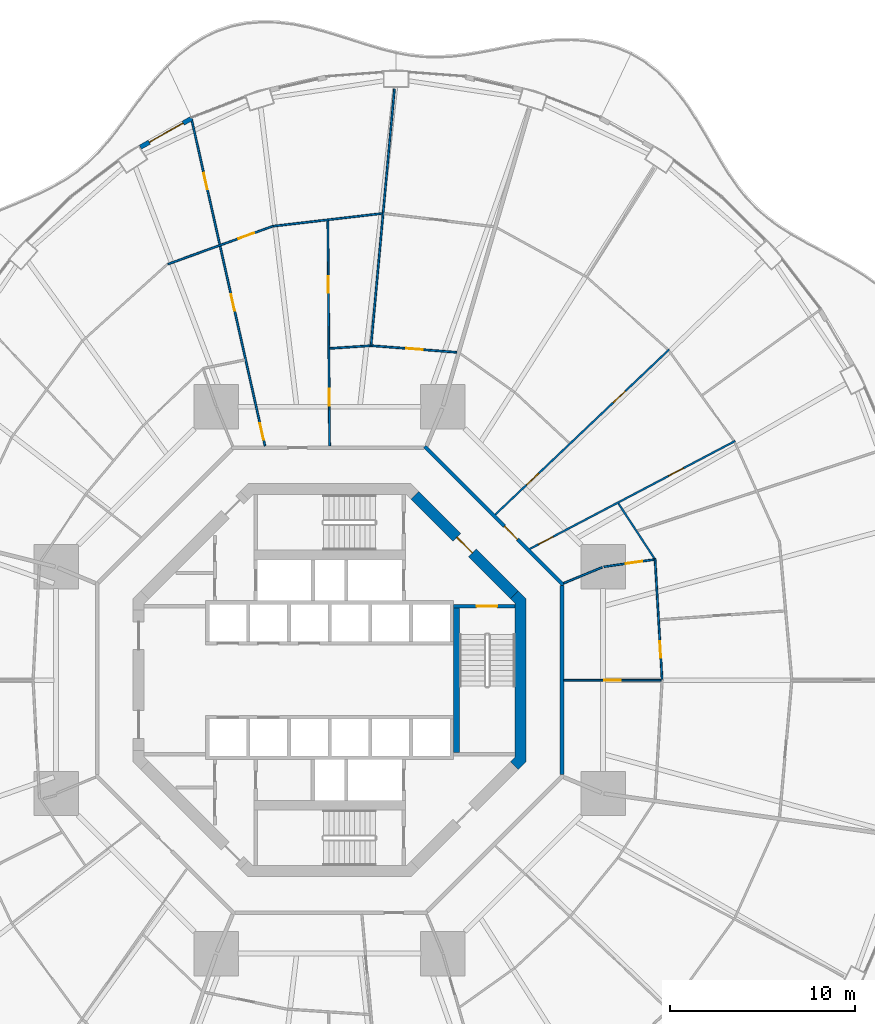
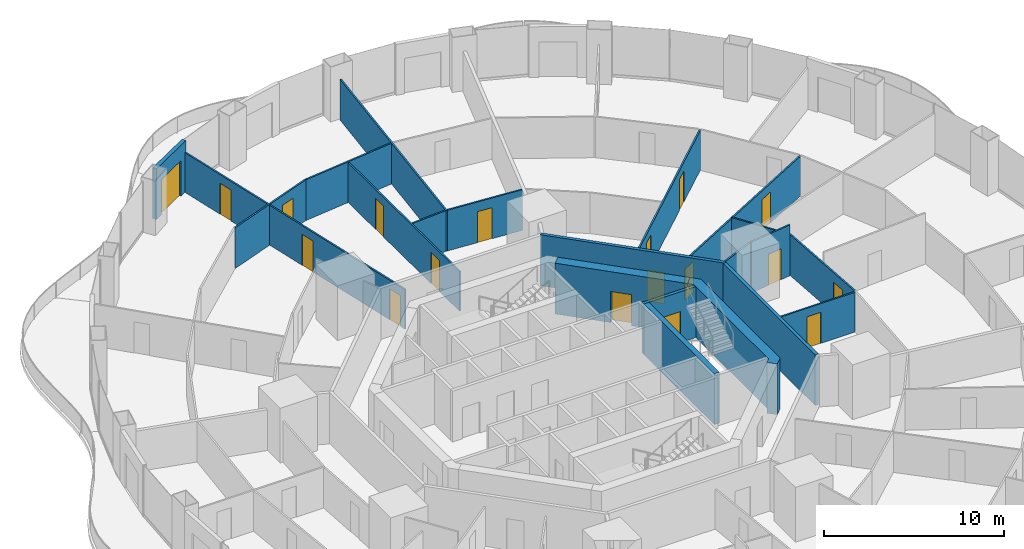
# One storey, part 18 of 22: 21 walls, 18 doors, 18 openings.
"""IFC4 building model written with IfcOpenShell, lengths in metres."""

from ifc_helpers import new_model, si_unit, direction, frame, frame_2d, origin, place, context, subcontext, project, spatial, polyline, rectangle, outline, extrude, material, layer, layer_set, type_object, element, fill, save


model = new_model("IFC4")

# Units and contexts
model_context = context("Model", 3, precision=1e-05, world=origin(), true_north=direction((0.0, 1.0)))
body_context = subcontext(model_context, "Body", "Model", "MODEL_VIEW")
ifc_project = project(units=[si_unit("LENGTHUNIT", "METRE"), si_unit("AREAUNIT", "SQUARE_METRE"), si_unit("VOLUMEUNIT", "CUBIC_METRE"), si_unit("PLANEANGLEUNIT", "RADIAN"), si_unit("MASSUNIT", "GRAM", prefix="KILO")], contexts=[model_context])

# Site, building, storey
site_placement = place(None, origin())
site = spatial("IfcSite", under=ifc_project, at=site_placement, CompositionType="ELEMENT")
building_placement = place(site_placement, origin())
building = spatial("IfcBuilding", under=site, at=building_placement, Name="Nagisa Residences", CompositionType="ELEMENT")
storey_placement = place(building_placement, frame((0.0, 0.0, 34.39990234375)))
storey = spatial("IfcBuildingStorey", under=building, at=storey_placement, Name="L07", CompositionType="ELEMENT", Elevation=34.39990234375)

# Wall
ifc_material_1 = material(Name="Gypsum board on steel studs", Category="steel")
ifc_layer_1 = layer(ifc_material_1, 0.199951171875)
ifc_layer_set_1 = layer_set([ifc_layer_1], Name="Apartment entry wall EI60 200")
wall_type_1 = type_object("IfcWallType", Name="Apartment entry wall EI60 200", PredefinedType="PARTITIONING", material=ifc_layer_set_1)
wall_1_placement = place(storey_placement, frame((12.564697265625, -5.1044921875, 0.0), z_axis=(0.0, 0.0, 1.0), x_axis=(0.0, 1.0, 0.0)))
element("IfcWall", 1, at=wall_1_placement, inside=storey, type_object=wall_type_1, Name="wall:L07:u08", PredefinedType="PARTITIONING", context=body_context, shape_type="SweptSolid", body=[
    extrude(rectangle(XDim=10.208984375, YDim=0.199951171875, at=frame_2d((5.1044921875, 0.0))), origin(), (0.0, 0.0, 1.0), 3.440185546875),
])

# Wall, opening, door
wall_2_placement = place(storey_placement, frame((12.635498046875, 5.1337890625, 0.0), z_axis=(0.0, 0.0, 1.0), x_axis=(-0.707106781187, 0.707106781187, 0.0)))
wall_2 = element("IfcWall", 2, at=wall_2_placement, inside=storey, type_object=wall_type_1, Name="wall:L07:u09", PredefinedType="PARTITIONING", context=body_context, shape_type="SweptSolid", body=[
    extrude(rectangle(XDim=10.609130859375, YDim=0.199951171875, at=frame_2d((5.3046875, 0.0))), origin(), (0.0, 0.0, 1.0), 3.440185546875),
])
opening_1_placement = place(wall_2_placement, frame((3.50341796875, 0.0, 0.0)))
opening_1 = element("IfcOpeningElement", 3, at=opening_1_placement, cuts=wall_2, Name="Opening L07-U01", PredefinedType="OPENING", context=body_context, shape_type="SweptSolid", body=[
    extrude(rectangle(XDim=1.0, YDim=2.10009765625, at=frame_2d((0.5, 1.050048828125))), frame((0.0, 0.10986328125, 0.0), z_axis=(0.0, -1.0, 0.0), x_axis=(1.0, 0.0, 0.0)), (0.0, 0.0, 1.0), 0.219970703125),
])
ifc_material_2 = material(Name="Timber fire door set", Category="wood")
door_type_1 = type_object("IfcDoorType", Name="Apartment entry door FD30S 1000x2100", OperationType="NOTDEFINED", PredefinedType="DOOR", material=ifc_material_2)
door_1_placement = place(opening_1_placement, frame((1.0, 0.0, 0.0), x_axis=(-1.0, 0.0, 0.0)))
door_1 = element("IfcDoor", 4, at=door_1_placement, inside=storey, type_object=door_type_1, Name="Entry door, Apartment 07A", OperationType="SINGLE_SWING_RIGHT", OverallHeight=2.10009765625, OverallWidth=1.0, PredefinedType="DOOR", context=body_context, shape_type="SweptSolid", body=[
    extrude(rectangle(XDim=1.0, YDim=2.10009765625, at=frame_2d((0.5, 1.050048828125))), frame((0.0, 0.02490234375, 0.0), z_axis=(0.0, -1.0, 0.0), x_axis=(1.0, 0.0, 0.0)), (0.0, 0.0, 1.0), 0.050048828125),
])
fill(opening_1, door_1)

ifc_material_3 = material(Name="Gypsum board on steel studs", Category="steel")
ifc_layer_2 = layer(ifc_material_3, 0.10009765625)
ifc_layer_set_2 = layer_set([ifc_layer_2], Name="Apartment partition 100")
wall_type_2 = type_object("IfcWallType", Name="Apartment partition 100", PredefinedType="PARTITIONING", material=ifc_layer_set_2)
wall_3_placement = place(storey_placement, frame((12.664794921875, 0.0, 0.0), z_axis=(0.0, 0.0, 1.0), x_axis=(1.0, 0.0, 0.0)))
wall_3 = element("IfcWall", 5, at=wall_3_placement, inside=storey, type_object=wall_type_2, Name="wall:L07:u16", PredefinedType="PARTITIONING", context=body_context, shape_type="SweptSolid", body=[
    extrude(rectangle(XDim=5.259521484375, YDim=0.10009765625, at=frame_2d((2.6298828125, 0.0))), origin(), (0.0, 0.0, 1.0), 2.68701171875),
])
opening_2_placement = place(wall_3_placement, frame((2.1796875, 0.0, 0.0)))
opening_2 = element("IfcOpeningElement", 6, at=opening_2_placement, cuts=wall_3, Name="Opening L07-U14", PredefinedType="OPENING", context=body_context, shape_type="SweptSolid", body=[
    extrude(rectangle(XDim=0.89990234375, YDim=2.10009765625, at=frame_2d((0.449951171875, 1.050048828125))), frame((0.0, 0.06005859375, 0.0), z_axis=(0.0, -1.0, 0.0), x_axis=(1.0, 0.0, 0.0)), (0.0, 0.0, 1.0), 0.1201171875),
])
ifc_material_4 = material(Name="Timber door set", Category="wood")
door_type_2 = type_object("IfcDoorType", Name="Apartment door 900x2100", OperationType="NOTDEFINED", PredefinedType="DOOR", material=ifc_material_4)
door_2_placement = place(opening_2_placement, frame((0.89990234375, 0.0, 0.0), x_axis=(-1.0, 0.0, 0.0)))
door_2 = element("IfcDoor", 7, at=door_2_placement, inside=storey, type_object=door_type_2, Name="Door to store, Apartment 07A", OperationType="SINGLE_SWING_LEFT", OverallHeight=2.10009765625, OverallWidth=0.89990234375, PredefinedType="DOOR", context=body_context, shape_type="SweptSolid", body=[
    extrude(rectangle(XDim=0.89990234375, YDim=2.10009765625, at=frame_2d((0.449951171875, 1.050048828125))), frame((0.0, 0.02490234375, 0.0), z_axis=(0.0, -1.0, 0.0), x_axis=(1.0, 0.0, 0.0)), (0.0, 0.0, 1.0), 0.050048828125),
])
fill(opening_2, door_2)

wall_4_placement = place(storey_placement, frame((17.971435546875, 0.0498046875, 0.0), z_axis=(0.0, 0.0, 1.0), x_axis=(-0.058476853647, 0.998288764631, 0.0)))
wall_4 = element("IfcWall", 8, at=wall_4_placement, inside=storey, type_object=wall_type_2, Name="wall:L07:u17", PredefinedType="PARTITIONING", context=body_context, shape_type="SweptSolid", body=[
    extrude(rectangle(XDim=6.5380859375, YDim=0.10009765625, at=frame_2d((3.26904296875, 0.0))), origin(), (0.0, 0.0, 1.0), 2.756103515625),
])
opening_3_placement = place(wall_4_placement, frame((1.159423828125, 0.0, 0.0)))
opening_3 = element("IfcOpeningElement", 9, at=opening_3_placement, cuts=wall_4, Name="Opening L07-U10", PredefinedType="OPENING", context=body_context, shape_type="SweptSolid", body=[
    extrude(rectangle(XDim=0.89990234375, YDim=2.10009765625, at=frame_2d((0.449951171875, 1.050048828125))), frame((0.0, 0.06005859375, 0.0), z_axis=(0.0, -1.0, 0.0), x_axis=(1.0, 0.0, 0.0)), (0.0, 0.0, 1.0), 0.1201171875),
])
door_3_placement = place(opening_3_placement, frame((0.89990234375, 0.0, 0.0), x_axis=(-1.0, 0.0, 0.0)))
door_3 = element("IfcDoor", 10, at=door_3_placement, inside=storey, type_object=door_type_2, Name="Door to dining room, Apartment 07A", OperationType="SINGLE_SWING_LEFT", OverallHeight=2.10009765625, OverallWidth=0.89990234375, PredefinedType="DOOR", context=body_context, shape_type="SweptSolid", body=[
    extrude(rectangle(XDim=0.89990234375, YDim=2.10009765625, at=frame_2d((0.449951171875, 1.050048828125))), frame((0.0, 0.02490234375, 0.0), z_axis=(0.0, -1.0, 0.0), x_axis=(1.0, 0.0, 0.0)), (0.0, 0.0, 1.0), 0.050048828125),
])
fill(opening_3, door_3)

# Wall
wall_5_placement = place(storey_placement, frame((12.6572265625, 5.24267578125, 0.0), z_axis=(0.0, 0.0, 1.0), x_axis=(0.923864733477, 0.382719158442, 0.0)))
element("IfcWall", 11, at=wall_5_placement, inside=storey, type_object=wall_type_2, Name="wall:L07:u23", PredefinedType="PARTITIONING", context=body_context, shape_type="SweptSolid", body=[
    extrude(rectangle(XDim=2.25, YDim=0.10009765625, at=frame_2d((1.125, 0.0))), origin(), (0.0, 0.0, 1.0), 3.440185546875),
])

# Wall, opening, door
wall_6_placement = place(storey_placement, frame((14.83154296875, 6.130126953125, 0.0), z_axis=(0.0, 0.0, 1.0), x_axis=(0.989840446863, 0.142182593007, 0.0)))
wall_6 = element("IfcWall", 12, at=wall_6_placement, inside=storey, type_object=wall_type_2, Name="wall:L07:u24", PredefinedType="PARTITIONING", context=body_context, shape_type="SweptSolid", body=[
    extrude(rectangle(XDim=2.73876953125, YDim=0.10009765625, at=frame_2d((1.369384765625, 0.0))), origin(), (0.0, 0.0, 1.0), 3.440185546875),
])
opening_4_placement = place(wall_6_placement, frame((1.197021484375, 0.0, 0.0)))
opening_4 = element("IfcOpeningElement", 13, at=opening_4_placement, cuts=wall_6, Name="Opening L07-U09", PredefinedType="OPENING", context=body_context, shape_type="SweptSolid", body=[
    extrude(rectangle(XDim=0.89990234375, YDim=2.10009765625, at=frame_2d((0.449951171875, 1.050048828125))), frame((0.0, 0.06005859375, 0.0), z_axis=(0.0, -1.0, 0.0), x_axis=(1.0, 0.0, 0.0)), (0.0, 0.0, 1.0), 0.1201171875),
])
door_4_placement = place(opening_4_placement, frame((0.89990234375, 0.0, 0.0), x_axis=(-1.0, 0.0, 0.0)))
door_4 = element("IfcDoor", 14, at=door_4_placement, inside=storey, type_object=door_type_2, Name="Door to laundry, Apartment 07A", OperationType="SINGLE_SWING_RIGHT", OverallHeight=2.10009765625, OverallWidth=0.89990234375, PredefinedType="DOOR", context=body_context, shape_type="SweptSolid", body=[
    extrude(rectangle(XDim=0.89990234375, YDim=2.10009765625, at=frame_2d((0.449951171875, 1.050048828125))), frame((0.0, 0.02490234375, 0.0), z_axis=(0.0, -1.0, 0.0), x_axis=(1.0, 0.0, 0.0)), (0.0, 0.0, 1.0), 0.050048828125),
])
fill(opening_4, door_4)

# Wall
wall_7_placement = place(storey_placement, frame((17.564453125, 6.568603515625, 0.0), z_axis=(0.0, 0.0, 1.0), x_axis=(-0.547641765292, 0.836712911881, 0.0)))
element("IfcWall", 15, at=wall_7_placement, inside=storey, type_object=wall_type_2, Name="wall:L07:u25", PredefinedType="PARTITIONING", context=body_context, shape_type="SweptSolid", body=[
    extrude(rectangle(XDim=3.570068359375, YDim=0.10009765625, at=frame_2d((1.78515625, 0.0))), origin(), (0.0, 0.0, 1.0), 2.756103515625),
])

# Wall, openings, doors
wall_8_placement = place(storey_placement, frame((10.813232421875, 7.091064453125, 0.0), z_axis=(0.0, 0.0, 1.0), x_axis=(0.885182649479, 0.465243674928, 0.0)))
wall_8 = element("IfcWall", 16, at=wall_8_placement, inside=storey, type_object=wall_type_2, Name="wall:L07:u28", PredefinedType="PARTITIONING", context=body_context, shape_type="SweptSolid", body=[
    extrude(rectangle(XDim=12.550537109375, YDim=0.10009765625, at=frame_2d((6.275390625, 0.0))), origin(), (0.0, 0.0, 1.0), 2.68701171875),
])
opening_5_placement = place(wall_8_placement, frame((0.539306640625, 0.0, 0.0)))
opening_5 = element("IfcOpeningElement", 17, at=opening_5_placement, cuts=wall_8, Name="Opening L07-U02", PredefinedType="OPENING", context=body_context, shape_type="SweptSolid", body=[
    extrude(rectangle(XDim=0.89990234375, YDim=2.10009765625, at=frame_2d((0.449951171875, 1.050048828125))), frame((0.0, 0.06005859375, 0.0), z_axis=(0.0, -1.0, 0.0), x_axis=(1.0, 0.0, 0.0)), (0.0, 0.0, 1.0), 0.1201171875),
])
opening_6_placement = place(wall_8_placement, frame((8.493896484375, 0.0, 0.0)))
opening_6 = element("IfcOpeningElement", 18, at=opening_6_placement, cuts=wall_8, Name="Opening L07-U04", PredefinedType="OPENING", context=body_context, shape_type="SweptSolid", body=[
    extrude(rectangle(XDim=0.89990234375, YDim=2.10009765625, at=frame_2d((0.449951171875, 1.050048828125))), frame((0.0, 0.06005859375, 0.0), z_axis=(0.0, -1.0, 0.0), x_axis=(1.0, 0.0, 0.0)), (0.0, 0.0, 1.0), 0.1201171875),
])
door_5_placement = place(opening_5_placement, frame((0.89990234375, 0.0, 0.0), x_axis=(-1.0, 0.0, 0.0)))
door_5 = element("IfcDoor", 19, at=door_5_placement, inside=storey, type_object=door_type_2, Name="Door to family bathroom, Apartment 07A", OperationType="SINGLE_SWING_LEFT", OverallHeight=2.10009765625, OverallWidth=0.89990234375, PredefinedType="DOOR", context=body_context, shape_type="SweptSolid", body=[
    extrude(rectangle(XDim=0.89990234375, YDim=2.10009765625, at=frame_2d((0.449951171875, 1.050048828125))), frame((0.0, 0.02490234375, 0.0), z_axis=(0.0, -1.0, 0.0), x_axis=(1.0, 0.0, 0.0)), (0.0, 0.0, 1.0), 0.050048828125),
])
fill(opening_5, door_5)
door_6_placement = place(opening_6_placement, frame((0.89990234375, 0.0, 0.0), x_axis=(-1.0, 0.0, 0.0)))
door_6 = element("IfcDoor", 20, at=door_6_placement, inside=storey, type_object=door_type_2, Name="Door to family bathroom, Apartment 07A", OperationType="SINGLE_SWING_LEFT", OverallHeight=2.10009765625, OverallWidth=0.89990234375, PredefinedType="DOOR", context=body_context, shape_type="SweptSolid", body=[
    extrude(rectangle(XDim=0.89990234375, YDim=2.10009765625, at=frame_2d((0.449951171875, 1.050048828125))), frame((0.0, 0.02490234375, 0.0), z_axis=(0.0, -1.0, 0.0), x_axis=(1.0, 0.0, 0.0)), (0.0, 0.0, 1.0), 0.050048828125),
])
fill(opening_6, door_6)

wall_9_placement = place(storey_placement, frame((8.95703125, 8.953369140625, 0.0), z_axis=(0.0, 0.0, 1.0), x_axis=(0.725250022034, 0.688485588476, 0.0)))
wall_9 = element("IfcWall", 21, at=wall_9_placement, inside=storey, type_object=wall_type_2, Name="wall:L07:u31", PredefinedType="PARTITIONING", context=body_context, shape_type="SweptSolid", body=[
    extrude(rectangle(XDim=12.962646484375, YDim=0.10009765625, at=frame_2d((6.4814453125, 0.0))), origin(), (0.0, 0.0, 1.0), 2.68701171875),
])
opening_7_placement = place(wall_9_placement, frame((2.33349609375, 0.0, 0.0)))
opening_7 = element("IfcOpeningElement", 22, at=opening_7_placement, cuts=wall_9, Name="Opening L07-U03", PredefinedType="OPENING", context=body_context, shape_type="SweptSolid", body=[
    extrude(rectangle(XDim=0.89990234375, YDim=2.10009765625, at=frame_2d((0.449951171875, 1.050048828125))), frame((0.0, 0.06005859375, 0.0), z_axis=(0.0, -1.0, 0.0), x_axis=(1.0, 0.0, 0.0)), (0.0, 0.0, 1.0), 0.1201171875),
])
opening_8_placement = place(wall_9_placement, frame((8.78955078125, 0.0, 0.0)))
opening_8 = element("IfcOpeningElement", 23, at=opening_8_placement, cuts=wall_9, Name="Opening L07-U05", PredefinedType="OPENING", context=body_context, shape_type="SweptSolid", body=[
    extrude(rectangle(XDim=0.89990234375, YDim=2.10009765625, at=frame_2d((0.449951171875, 1.050048828125))), frame((0.0, 0.06005859375, 0.0), z_axis=(0.0, -1.0, 0.0), x_axis=(1.0, 0.0, 0.0)), (0.0, 0.0, 1.0), 0.1201171875),
])
door_7_placement = place(opening_7_placement, origin())
door_7 = element("IfcDoor", 24, at=door_7_placement, inside=storey, type_object=door_type_2, Name="Door to store, Apartment 07A", OperationType="SINGLE_SWING_LEFT", OverallHeight=2.10009765625, OverallWidth=0.89990234375, PredefinedType="DOOR", context=body_context, shape_type="SweptSolid", body=[
    extrude(rectangle(XDim=0.89990234375, YDim=2.10009765625, at=frame_2d((0.449951171875, 1.050048828125))), frame((0.0, 0.02490234375, 0.0), z_axis=(0.0, -1.0, 0.0), x_axis=(1.0, 0.0, 0.0)), (0.0, 0.0, 1.0), 0.050048828125),
])
fill(opening_7, door_7)
door_8_placement = place(opening_8_placement, origin())
door_8 = element("IfcDoor", 25, at=door_8_placement, inside=storey, type_object=door_type_2, Name="Door to dining room, Apartment 07A", OperationType="SINGLE_SWING_LEFT", OverallHeight=2.10009765625, OverallWidth=0.89990234375, PredefinedType="DOOR", context=body_context, shape_type="SweptSolid", body=[
    extrude(rectangle(XDim=0.89990234375, YDim=2.10009765625, at=frame_2d((0.449951171875, 1.050048828125))), frame((0.0, 0.02490234375, 0.0), z_axis=(0.0, -1.0, 0.0), x_axis=(1.0, 0.0, 0.0)), (0.0, 0.0, 1.0), 0.050048828125),
])
fill(opening_8, door_8)

# Wall, opening, door
wall_10_placement = place(storey_placement, frame((6.878173828125, 17.72314453125, 0.0), z_axis=(0.0, 0.0, 1.0), x_axis=(-0.99701850123, 0.077162868047, 0.0)))
wall_10 = element("IfcWall", 26, at=wall_10_placement, inside=storey, type_object=wall_type_2, Name="wall:L07:u37", PredefinedType="PARTITIONING", context=body_context, shape_type="SweptSolid", body=[
    extrude(rectangle(XDim=4.603515625, YDim=0.10009765625, at=frame_2d((2.3017578125, 0.0))), origin(), (0.0, 0.0, 1.0), 2.756103515625),
])
opening_9_placement = place(wall_10_placement, frame((1.851806640625, 0.0, 0.0)))
opening_9 = element("IfcOpeningElement", 27, at=opening_9_placement, cuts=wall_10, Name="Opening L07-U18", PredefinedType="OPENING", context=body_context, shape_type="SweptSolid", body=[
    extrude(rectangle(XDim=0.89990234375, YDim=2.10009765625, at=frame_2d((0.449951171875, 1.050048828125))), frame((0.0, 0.06005859375, 0.0), z_axis=(0.0, -1.0, 0.0), x_axis=(1.0, 0.0, 0.0)), (0.0, 0.0, 1.0), 0.1201171875),
])
door_9_placement = place(opening_9_placement, frame((0.89990234375, 0.0, 0.0), x_axis=(-1.0, 0.0, 0.0)))
door_9 = element("IfcDoor", 28, at=door_9_placement, inside=storey, type_object=door_type_2, Name="Door to kitchen, Apartment 07B", OperationType="SINGLE_SWING_LEFT", OverallHeight=2.10009765625, OverallWidth=0.89990234375, PredefinedType="DOOR", context=body_context, shape_type="SweptSolid", body=[
    extrude(rectangle(XDim=0.89990234375, YDim=2.10009765625, at=frame_2d((0.449951171875, 1.050048828125))), frame((0.0, 0.02490234375, 0.0), z_axis=(0.0, -1.0, 0.0), x_axis=(1.0, 0.0, 0.0)), (0.0, 0.0, 1.0), 0.050048828125),
])
fill(opening_9, door_9)

# Walls
wall_11_placement = place(storey_placement, frame((2.23388671875, 18.032470703125, 0.0), z_axis=(0.0, 0.0, 1.0), x_axis=(0.090891502968, 0.995860800859, 0.0)))
element("IfcWall", 29, at=wall_11_placement, inside=storey, type_object=wall_type_2, Name="wall:L07:u39", PredefinedType="PARTITIONING", context=body_context, shape_type="SweptSolid", body=[
    extrude(rectangle(XDim=13.983642578125, YDim=0.10009765625, at=frame_2d((6.99169921875, 0.0))), origin(), (0.0, 0.0, 1.0), 2.756103515625),
])
wall_12_placement = place(storey_placement, frame((2.1884765625, 18.078857421875, 0.0), z_axis=(0.0, 0.0, 1.0), x_axis=(-0.997794542617, -0.066378089183, 0.0)))
element("IfcWall", 30, at=wall_12_placement, inside=storey, type_object=wall_type_2, Name="wall:L07:u40", PredefinedType="PARTITIONING", context=body_context, shape_type="SweptSolid", body=[
    extrude(rectangle(XDim=2.184814453125, YDim=0.10009765625, at=frame_2d((1.09228515625, 0.0))), origin(), (0.0, 0.0, 1.0), 2.756103515625),
])
wall_13_placement = place(storey_placement, frame((2.841552734375, 25.228759765625, 0.0), z_axis=(0.0, 0.0, 1.0), x_axis=(-0.993255612046, -0.115945198862, 0.0)))
element("IfcWall", 31, at=wall_13_placement, inside=storey, type_object=wall_type_2, Name="wall:L07:u41", PredefinedType="PARTITIONING", context=body_context, shape_type="SweptSolid", body=[
    extrude(rectangle(XDim=5.91259765625, YDim=0.10009765625, at=frame_2d((2.956298828125, 0.0))), origin(), (0.0, 0.0, 1.0), 2.756103515625),
])

# Wall, openings, doors
wall_14_placement = place(storey_placement, frame((-0.000732421875, 12.664794921875, 0.0), z_axis=(0.0, 0.0, 1.0), x_axis=(-0.007702417287, 0.999970335944, 0.0)))
wall_14 = element("IfcWall", 32, at=wall_14_placement, inside=storey, type_object=wall_type_2, Name="wall:L07:u42", PredefinedType="PARTITIONING", context=body_context, shape_type="SweptSolid", body=[
    extrude(rectangle(XDim=12.17138671875, YDim=0.10009765625, at=frame_2d((6.085693359375, 0.0))), origin(), (0.0, 0.0, 1.0), 2.68701171875),
])
opening_10_placement = place(wall_14_placement, frame((2.182861328125, 0.0, 0.0)))
opening_10 = element("IfcOpeningElement", 33, at=opening_10_placement, cuts=wall_14, Name="Opening L07-U16", PredefinedType="OPENING", context=body_context, shape_type="SweptSolid", body=[
    extrude(rectangle(XDim=0.89990234375, YDim=2.10009765625, at=frame_2d((0.449951171875, 1.050048828125))), frame((0.0, 0.06005859375, 0.0), z_axis=(0.0, -1.0, 0.0), x_axis=(1.0, 0.0, 0.0)), (0.0, 0.0, 1.0), 0.1201171875),
])
opening_11_placement = place(wall_14_placement, frame((8.268798828125, 0.0, 0.0)))
opening_11 = element("IfcOpeningElement", 34, at=opening_11_placement, cuts=wall_14, Name="Opening L07-U19", PredefinedType="OPENING", context=body_context, shape_type="SweptSolid", body=[
    extrude(rectangle(XDim=0.89990234375, YDim=2.10009765625, at=frame_2d((0.449951171875, 1.050048828125))), frame((0.0, 0.06005859375, 0.0), z_axis=(0.0, -1.0, 0.0), x_axis=(1.0, 0.0, 0.0)), (0.0, 0.0, 1.0), 0.1201171875),
])
door_10_placement = place(opening_10_placement, frame((0.89990234375, 0.0, 0.0), x_axis=(-1.0, 0.0, 0.0)))
door_10 = element("IfcDoor", 35, at=door_10_placement, inside=storey, type_object=door_type_2, Name="Door to store, Apartment 07B", OperationType="SINGLE_SWING_LEFT", OverallHeight=2.10009765625, OverallWidth=0.89990234375, PredefinedType="DOOR", context=body_context, shape_type="SweptSolid", body=[
    extrude(rectangle(XDim=0.89990234375, YDim=2.10009765625, at=frame_2d((0.449951171875, 1.050048828125))), frame((0.0, 0.02490234375, 0.0), z_axis=(0.0, -1.0, 0.0), x_axis=(1.0, 0.0, 0.0)), (0.0, 0.0, 1.0), 0.050048828125),
])
fill(opening_10, door_10)
door_11_placement = place(opening_11_placement, frame((0.89990234375, 0.0, 0.0), x_axis=(-1.0, 0.0, 0.0)))
door_11 = element("IfcDoor", 36, at=door_11_placement, inside=storey, type_object=door_type_2, Name="Door to family bathroom, Apartment 07B", OperationType="SINGLE_SWING_RIGHT", OverallHeight=2.10009765625, OverallWidth=0.89990234375, PredefinedType="DOOR", context=body_context, shape_type="SweptSolid", body=[
    extrude(rectangle(XDim=0.89990234375, YDim=2.10009765625, at=frame_2d((0.449951171875, 1.050048828125))), frame((0.0, 0.02490234375, 0.0), z_axis=(0.0, -1.0, 0.0), x_axis=(1.0, 0.0, 0.0)), (0.0, 0.0, 1.0), 0.050048828125),
])
fill(opening_11, door_11)

# Wall, opening, door
wall_15_placement = place(storey_placement, frame((-3.03369140625, 24.554443359375, 0.0), z_axis=(0.0, 0.0, 1.0), x_axis=(-0.940401691072, -0.340065669288, 0.0)))
wall_15 = element("IfcWall", 37, at=wall_15_placement, inside=storey, type_object=wall_type_2, Name="wall:L07:u43", PredefinedType="PARTITIONING", context=body_context, shape_type="SweptSolid", body=[
    extrude(rectangle(XDim=6.067138671875, YDim=0.10009765625, at=frame_2d((3.03369140625, 0.0))), origin(), (0.0, 0.0, 1.0), 2.756103515625),
])
opening_12_placement = place(wall_15_placement, frame((1.11669921875, 0.0, 0.0)))
opening_12 = element("IfcOpeningElement", 38, at=opening_12_placement, cuts=wall_15, Name="Opening L07-U23", PredefinedType="OPENING", context=body_context, shape_type="SweptSolid", body=[
    extrude(rectangle(XDim=0.89990234375, YDim=2.10009765625, at=frame_2d((0.449951171875, 1.050048828125))), frame((0.0, 0.06005859375, 0.0), z_axis=(0.0, -1.0, 0.0), x_axis=(1.0, 0.0, 0.0)), (0.0, 0.0, 1.0), 0.1201171875),
])
door_12_placement = place(opening_12_placement, frame((0.89990234375, 0.0, 0.0), x_axis=(-1.0, 0.0, 0.0)))
door_12 = element("IfcDoor", 39, at=door_12_placement, inside=storey, type_object=door_type_2, Name="Door to living room, Apartment 07B", OperationType="SINGLE_SWING_RIGHT", OverallHeight=2.10009765625, OverallWidth=0.89990234375, PredefinedType="DOOR", context=body_context, shape_type="SweptSolid", body=[
    extrude(rectangle(XDim=0.89990234375, YDim=2.10009765625, at=frame_2d((0.449951171875, 1.050048828125))), frame((0.0, 0.02490234375, 0.0), z_axis=(0.0, -1.0, 0.0), x_axis=(1.0, 0.0, 0.0)), (0.0, 0.0, 1.0), 0.050048828125),
])
fill(opening_12, door_12)

# Wall, openings, doors
wall_16_placement = place(storey_placement, frame((-3.49169921875, 12.662353515625, 0.0), z_axis=(0.0, 0.0, 1.0), x_axis=(-0.219268088006, 0.975664648115, 0.0)))
wall_16 = element("IfcWall", 40, at=wall_16_placement, inside=storey, type_object=wall_type_2, Name="wall:L07:u44", PredefinedType="PARTITIONING", context=body_context, shape_type="SweptSolid", body=[
    extrude(rectangle(XDim=18.230224609375, YDim=0.10009765625, at=frame_2d((9.115234375, 0.0))), origin(), (0.0, 0.0, 1.0), 2.68701171875),
])
opening_13_placement = place(wall_16_placement, frame((0.35009765625, 0.0, 0.0)))
opening_13 = element("IfcOpeningElement", 41, at=opening_13_placement, cuts=wall_16, Name="Opening L07-U17", PredefinedType="OPENING", context=body_context, shape_type="SweptSolid", body=[
    extrude(rectangle(XDim=0.89990234375, YDim=2.10009765625, at=frame_2d((0.449951171875, 1.050048828125))), frame((0.0, 0.06005859375, 0.0), z_axis=(0.0, -1.0, 0.0), x_axis=(1.0, 0.0, 0.0)), (0.0, 0.0, 1.0), 0.1201171875),
])
opening_14_placement = place(wall_16_placement, frame((7.49658203125, 0.0, 0.0)))
opening_14 = element("IfcOpeningElement", 42, at=opening_14_placement, cuts=wall_16, Name="Opening L07-U20", PredefinedType="OPENING", context=body_context, shape_type="SweptSolid", body=[
    extrude(rectangle(XDim=0.89990234375, YDim=2.10009765625, at=frame_2d((0.449951171875, 1.050048828125))), frame((0.0, 0.06005859375, 0.0), z_axis=(0.0, -1.0, 0.0), x_axis=(1.0, 0.0, 0.0)), (0.0, 0.0, 1.0), 0.1201171875),
])
opening_15_placement = place(wall_16_placement, frame((14.22265625, 0.0, 0.0)))
opening_15 = element("IfcOpeningElement", 43, at=opening_15_placement, cuts=wall_16, Name="Opening L07-U24", PredefinedType="OPENING", context=body_context, shape_type="SweptSolid", body=[
    extrude(rectangle(XDim=0.89990234375, YDim=2.10009765625, at=frame_2d((0.449951171875, 1.050048828125))), frame((0.0, 0.06005859375, 0.0), z_axis=(0.0, -1.0, 0.0), x_axis=(1.0, 0.0, 0.0)), (0.0, 0.0, 1.0), 0.1201171875),
])
door_13_placement = place(opening_13_placement, origin())
door_13 = element("IfcDoor", 44, at=door_13_placement, inside=storey, type_object=door_type_2, Name="Door to family bathroom, Apartment 07B", OperationType="SINGLE_SWING_LEFT", OverallHeight=2.10009765625, OverallWidth=0.89990234375, PredefinedType="DOOR", context=body_context, shape_type="SweptSolid", body=[
    extrude(rectangle(XDim=0.89990234375, YDim=2.10009765625, at=frame_2d((0.449951171875, 1.050048828125))), frame((0.0, 0.02490234375, 0.0), z_axis=(0.0, -1.0, 0.0), x_axis=(1.0, 0.0, 0.0)), (0.0, 0.0, 1.0), 0.050048828125),
])
fill(opening_13, door_13)
door_14_placement = place(opening_14_placement, origin())
door_14 = element("IfcDoor", 45, at=door_14_placement, inside=storey, type_object=door_type_2, Name="Door to dining room, Apartment 07B", OperationType="SINGLE_SWING_RIGHT", OverallHeight=2.10009765625, OverallWidth=0.89990234375, PredefinedType="DOOR", context=body_context, shape_type="SweptSolid", body=[
    extrude(rectangle(XDim=0.89990234375, YDim=2.10009765625, at=frame_2d((0.449951171875, 1.050048828125))), frame((0.0, 0.02490234375, 0.0), z_axis=(0.0, -1.0, 0.0), x_axis=(1.0, 0.0, 0.0)), (0.0, 0.0, 1.0), 0.050048828125),
])
fill(opening_14, door_14)
door_15_placement = place(opening_15_placement, origin())
door_15 = element("IfcDoor", 46, at=door_15_placement, inside=storey, type_object=door_type_2, Name="Door to family room, Apartment 07B", OperationType="SINGLE_SWING_RIGHT", OverallHeight=2.10009765625, OverallWidth=0.89990234375, PredefinedType="DOOR", context=body_context, shape_type="SweptSolid", body=[
    extrude(rectangle(XDim=0.89990234375, YDim=2.10009765625, at=frame_2d((0.449951171875, 1.050048828125))), frame((0.0, 0.02490234375, 0.0), z_axis=(0.0, -1.0, 0.0), x_axis=(1.0, 0.0, 0.0)), (0.0, 0.0, 1.0), 0.050048828125),
])
fill(opening_15, door_15)

# Wall, opening, door
ifc_material_5 = material(Name="Precast concrete C40/50", Category="concrete")
ifc_layer_3 = layer(ifc_material_5, 0.25)
ifc_layer_set_3 = layer_set([ifc_layer_3], Name="BALCONY DOOR WALL 250")
wall_type_3 = type_object("IfcWallType", Name="BALCONY DOOR WALL 250", PredefinedType="SOLIDWALL", material=ifc_layer_set_3)
wall_17_placement = place(storey_placement, frame((-10.228271484375, 28.8125, 0.0), z_axis=(0.0, 0.0, 1.0), x_axis=(0.872084295691, 0.489355679653, 0.0)))
wall_17 = element("IfcWall", 47, at=wall_17_placement, inside=storey, type_object=wall_type_3, Name="wall:L07:bay15", PredefinedType="SOLIDWALL", context=body_context, shape_type="SweptSolid", body=[
    extrude(rectangle(XDim=3.200927734375, YDim=0.25, at=frame_2d((1.6005859375, 0.0))), origin(), (0.0, 0.0, 1.0), 3.440185546875),
])
opening_16_placement = place(wall_17_placement, frame((0.550537109375, 0.0, 0.0)))
opening_16 = element("IfcOpeningElement", 48, at=opening_16_placement, cuts=wall_17, Name="Opening BD-L07-06", PredefinedType="OPENING", context=body_context, shape_type="SweptSolid", body=[
    extrude(rectangle(XDim=2.10009765625, YDim=2.39990234375, at=frame_2d((1.050048828125, 1.199951171875))), frame((0.0, 0.135009765625, 0.0), z_axis=(0.0, -1.0, 0.0), x_axis=(1.0, 0.0, 0.0)), (0.0, 0.0, 1.0), 0.27001953125),
])
ifc_material_6 = material(Name="Aluminium and clear glass", Category="aluminium")
door_type_3 = type_object("IfcDoorType", Name="BALCONY SLIDING DOOR 2100x2400", OperationType="SLIDING_TO_LEFT", PredefinedType="DOOR", material=ifc_material_6)
door_16_placement = place(opening_16_placement, origin())
door_16 = element("IfcDoor", 49, at=door_16_placement, inside=storey, type_object=door_type_3, Name="door:L07:bay15", OperationType="SLIDING_TO_LEFT", OverallHeight=2.39990234375, OverallWidth=2.10009765625, PredefinedType="DOOR", context=body_context, shape_type="SweptSolid", body=[
    extrude(rectangle(XDim=2.10009765625, YDim=2.39990234375, at=frame_2d((1.050048828125, 1.199951171875))), frame((0.0, 0.02490234375, 0.0), z_axis=(0.0, -1.0, 0.0), x_axis=(1.0, 0.0, 0.0)), (0.0, 0.0, 1.0), 0.050048828125),
])
fill(opening_16, door_16)

ifc_material_7 = material(Name="Concrete C60", Category="concrete")
ifc_layer_4 = layer(ifc_material_7, 0.60009765625)
ifc_layer_set_4 = layer_set([ifc_layer_4], Name="Core shear wall 600")
wall_type_4 = type_object("IfcWallType", Name="Core shear wall 600", PredefinedType="SHEAR", material=ifc_layer_set_4)
wall_18_placement = place(storey_placement, frame((9.98828125, 4.613037109375, 0.0), z_axis=(0.0, 0.0, 1.0), x_axis=(-0.707106781187, 0.707106781187, 0.0)))
wall_18 = element("IfcWall", 50, at=wall_18_placement, inside=storey, type_object=wall_type_4, Name="wall:L07:core:flat1", PredefinedType="SHEAR", context=body_context, shape_type="SweptSolid", body=[
    extrude(rectangle(XDim=7.601806640625, YDim=0.60009765625, at=frame_2d((3.80078125, 0.0))), origin(), (0.0, 0.0, 1.0), 3.440185546875),
])
opening_17_placement = place(wall_18_placement, frame((3.200927734375, 0.0, 0.0)))
opening_17 = element("IfcOpeningElement", 51, at=opening_17_placement, cuts=wall_18, Name="Opening L07-C17", PredefinedType="OPENING", context=body_context, shape_type="SweptSolid", body=[
    extrude(rectangle(XDim=1.199951171875, YDim=2.10009765625, at=frame_2d((0.60009765625, 1.050048828125))), frame((0.0, 0.31005859375, 0.0), z_axis=(0.0, -1.0, 0.0), x_axis=(1.0, 0.0, 0.0)), (0.0, 0.0, 1.0), 0.6201171875),
])
ifc_material_8 = material(Name="Steel fire door", Category="steel")
door_type_4 = type_object("IfcDoorType", Name="Fire door EI60 1200x2100 single swing", OperationType="NOTDEFINED", PredefinedType="DOOR", material=ifc_material_8)
door_17_placement = place(opening_17_placement, origin())
door_17 = element("IfcDoor", 52, at=door_17_placement, inside=storey, type_object=door_type_4, Name="Firefighting lobby 1 door L07", OperationType="SINGLE_SWING_RIGHT", OverallHeight=2.10009765625, OverallWidth=1.199951171875, PredefinedType="DOOR", context=body_context, shape_type="SweptSolid", body=[
    extrude(rectangle(XDim=1.199951171875, YDim=2.10009765625, at=frame_2d((0.60009765625, 1.050048828125))), frame((0.0, 0.02490234375, 0.0), z_axis=(0.0, -1.0, 0.0), x_axis=(1.0, 0.0, 0.0)), (0.0, 0.0, 1.0), 0.050048828125),
])
fill(opening_17, door_17)

# Wall
wall_19_placement = place(storey_placement, origin())
element("IfcWall", 53, at=wall_19_placement, inside=storey, type_object=wall_type_4, Name="wall:L07:core:flat0", PredefinedType="SHEAR", context=body_context, shape_type="SweptSolid", body=[
    extrude(outline(polyline([(9.776123046875, -4.40087890625), (10.024658203125, -4.15234375), (10.024658203125, -3.801025390625), (10.024658203125, 4.15234375), (9.776123046875, 4.40087890625), (10.200439453125, 4.8251953125), (10.62451171875, 4.40087890625), (10.62451171875, -4.40087890625), (10.200439453125, -4.8251953125), (9.776123046875, -4.40087890625)])), origin(), (0.0, 0.0, 1.0), 3.440185546875),
])

# Wall, opening, door
ifc_material_9 = material(Name="Concrete C60", Category="concrete")
ifc_layer_5 = layer(ifc_material_9, 0.199951171875)
ifc_layer_set_5 = layer_set([ifc_layer_5], Name="Stair enclosure wall 200")
wall_type_5 = type_object("IfcWallType", Name="Stair enclosure wall 200", PredefinedType="SOLIDWALL", material=ifc_layer_set_5)
wall_20_placement = place(storey_placement, frame((6.699951171875, 4.0, 0.0), z_axis=(0.0, 0.0, 1.0), x_axis=(1.0, 0.0, 0.0)))
wall_20 = element("IfcWall", 54, at=wall_20_placement, inside=storey, type_object=wall_type_5, Name="wall:L07:SE_n", PredefinedType="SOLIDWALL", context=body_context, shape_type="SweptSolid", body=[
    extrude(rectangle(XDim=3.32470703125, YDim=0.199951171875, at=frame_2d((1.662353515625, 0.0))), origin(), (0.0, 0.0, 1.0), 3.440185546875),
])
opening_18_placement = place(wall_20_placement, frame((1.25, 0.0, 0.0)))
opening_18 = element("IfcOpeningElement", 55, at=opening_18_placement, cuts=wall_20, Name="Opening L07-C09", PredefinedType="OPENING", context=body_context, shape_type="SweptSolid", body=[
    extrude(rectangle(XDim=1.10009765625, YDim=2.10009765625, at=frame_2d((0.550048828125, 1.050048828125))), frame((0.0, 0.10986328125, 0.0), z_axis=(0.0, -1.0, 0.0), x_axis=(1.0, 0.0, 0.0)), (0.0, 0.0, 1.0), 0.219970703125),
])
ifc_material_10 = material(Name="Steel fire door", Category="steel")
door_type_5 = type_object("IfcDoorType", Name="Fire door EI90 1100x2100 single swing", OperationType="NOTDEFINED", PredefinedType="DOOR", material=ifc_material_10)
door_18_placement = place(opening_18_placement, frame((1.10009765625, 0.0, 0.0), x_axis=(-1.0, 0.0, 0.0)))
door_18 = element("IfcDoor", 56, at=door_18_placement, inside=storey, type_object=door_type_5, Name="Stair door ST-E L07", OperationType="SINGLE_SWING_RIGHT", OverallHeight=2.10009765625, OverallWidth=1.10009765625, PredefinedType="DOOR", context=body_context, shape_type="SweptSolid", body=[
    extrude(rectangle(XDim=1.10009765625, YDim=2.10009765625, at=frame_2d((0.550048828125, 1.050048828125))), frame((0.0, 0.02490234375, 0.0), z_axis=(0.0, -1.0, 0.0), x_axis=(1.0, 0.0, 0.0)), (0.0, 0.0, 1.0), 0.050048828125),
])
fill(opening_18, door_18)

# Wall
wall_21_placement = place(storey_placement, origin())
element("IfcWall", 57, at=wall_21_placement, inside=storey, type_object=wall_type_5, Name="wall:L07:SE_w", PredefinedType="SOLIDWALL", context=body_context, shape_type="SweptSolid", body=[
    extrude(outline(polyline([(7.024658203125, -3.89990234375), (6.699951171875, -3.89990234375), (6.699951171875, 3.89990234375), (7.024658203125, 3.89990234375), (7.024658203125, -3.89990234375)])), origin(), (0.0, 0.0, 1.0), 3.440185546875),
])

save(model, "model.ifc")
